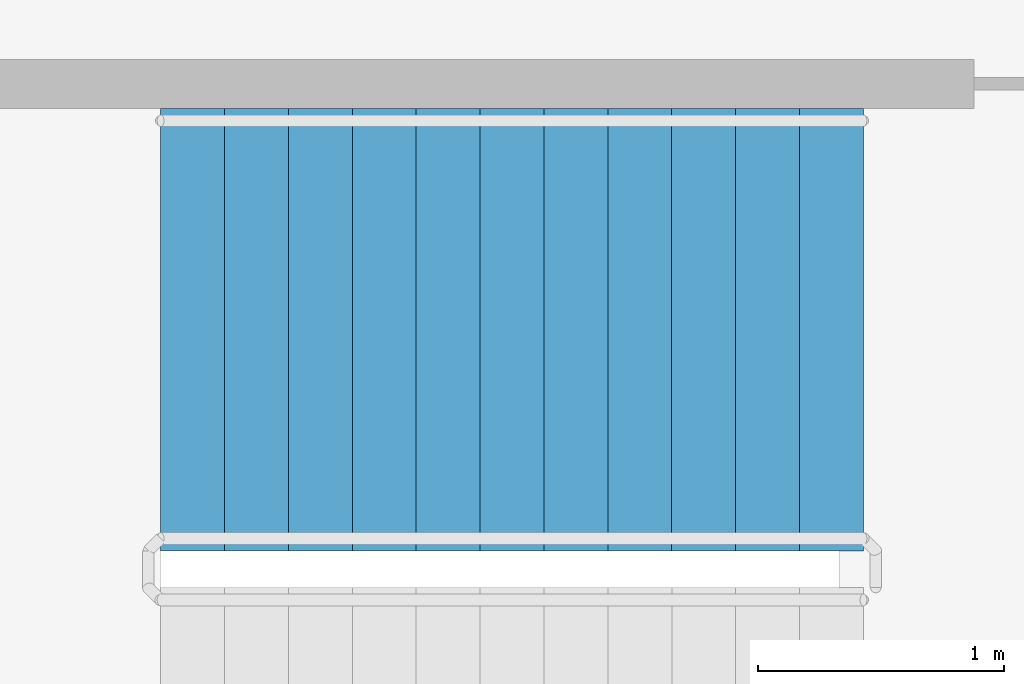
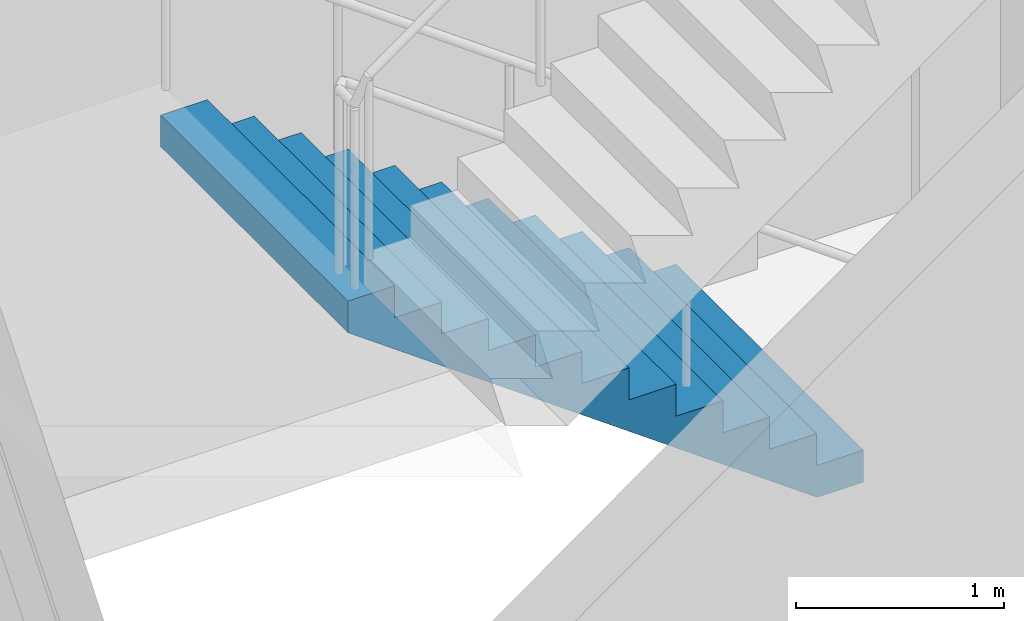
# One storey, part 32 of 49: 1 stair flight, 1 element without a shape of its own.
"""IFC4 building model written with IfcOpenShell, lengths in metres."""

from ifc_helpers import new_model, si_unit, direction, frame, origin, place, context, subcontext, project, spatial, faceted_brep, material, type_object, element, aggregate, save


model = new_model("IFC4")

# Units and contexts
model_context = context("Model", 3, precision=1e-05, world=origin(), true_north=direction((0.0, 1.0)))
body_context = subcontext(model_context, "Body", "Model", "MODEL_VIEW")
ifc_project = project(units=[si_unit("LENGTHUNIT", "METRE"), si_unit("AREAUNIT", "SQUARE_METRE"), si_unit("VOLUMEUNIT", "CUBIC_METRE"), si_unit("PLANEANGLEUNIT", "RADIAN"), si_unit("MASSUNIT", "GRAM", prefix="KILO")], contexts=[model_context])

# Site, building, storey
site_placement = place(None, origin())
site = spatial("IfcSite", under=ifc_project, at=site_placement, CompositionType="ELEMENT")
building_placement = place(site_placement, origin())
building = spatial("IfcBuilding", under=site, at=building_placement, Name="Ipe Terrace Towers", CompositionType="ELEMENT")
storey_placement = place(building_placement, frame((0.0, 0.0, 20.0)))
storey = spatial("IfcBuildingStorey", under=building, at=storey_placement, Name="L04", CompositionType="ELEMENT", Elevation=20.0)

# Stair, stair flight
ifc_material_1 = material(Name="Concrete C30/37", Category="concrete")
stair_type = type_object("IfcStairType", Name="Protected exit stair", PredefinedType="HALF_TURN_STAIR", material=ifc_material_1)
stair_placement = place(storey_placement, origin())
stair = element("IfcStair", 1, at=stair_placement, inside=storey, type_object=stair_type, Name="L04 Podium exit stair PS1", PredefinedType="HALF_TURN_STAIR")
ifc_material_2 = material(Name="Concrete C30/37", Category="concrete")
stair_flight_type = type_object("IfcStairFlightType", Name="Exit stair flight 1800", PredefinedType="STRAIGHT", material=ifc_material_2)
stair_flight_placement = place(storey_placement, frame((-54.27001953125, 25.5, 0.0), z_axis=(0.0, 0.0, 1.0), x_axis=(-1.0, 0.0, 0.0)))
stair_flight = element("IfcStairFlight", 2, at=stair_flight_placement, type_object=stair_flight_type, Name="PS1 flight 1", NumberOfRisers=12, NumberOfTreads=11, PredefinedType="STRAIGHT", RiserHeight=0.1875, TreadLength=0.26, context=body_context, shape_type="Brep", body=[
    faceted_brep([(0.25634765625, -0.89990234375, 0.0), (2.860107421875, -0.89990234375, 1.877685546875), (2.860107421875, -0.89990234375, 2.0625), (2.60009765625, -0.89990234375, 2.0625), (2.60009765625, -0.89990234375, 1.875), (2.340087890625, -0.89990234375, 1.875), (2.340087890625, -0.89990234375, 1.6875), (2.080078125, -0.89990234375, 1.6875), (2.080078125, -0.89990234375, 1.5), (1.820068359375, -0.89990234375, 1.5), (1.820068359375, -0.89990234375, 1.3125), (1.56005859375, -0.89990234375, 1.3125), (1.56005859375, -0.89990234375, 1.125), (1.300048828125, -0.89990234375, 1.125), (1.300048828125, -0.89990234375, 0.9375), (1.0400390625, -0.89990234375, 0.9375), (1.0400390625, -0.89990234375, 0.75), (0.780029296875, -0.89990234375, 0.75), (0.780029296875, -0.89990234375, 0.5625), (0.52001953125, -0.89990234375, 0.5625), (0.52001953125, -0.89990234375, 0.375), (0.260009765625, -0.89990234375, 0.375), (0.260009765625, -0.89990234375, 0.1875), (0.0, -0.89990234375, 0.1875), (0.0, -0.89990234375, 0.0), (0.0, 0.89990234375, 0.0), (0.0, 0.89990234375, 0.1875), (0.260009765625, 0.89990234375, 0.1875), (0.260009765625, 0.89990234375, 0.375), (0.52001953125, 0.89990234375, 0.375), (0.52001953125, 0.89990234375, 0.5625), (0.780029296875, 0.89990234375, 0.5625), (0.780029296875, 0.89990234375, 0.75), (1.0400390625, 0.89990234375, 0.75), (1.0400390625, 0.89990234375, 0.9375), (1.300048828125, 0.89990234375, 0.9375), (1.300048828125, 0.89990234375, 1.125), (1.56005859375, 0.89990234375, 1.125), (1.56005859375, 0.89990234375, 1.3125), (1.820068359375, 0.89990234375, 1.3125), (1.820068359375, 0.89990234375, 1.5), (2.080078125, 0.89990234375, 1.5), (2.080078125, 0.89990234375, 1.6875), (2.340087890625, 0.89990234375, 1.6875), (2.340087890625, 0.89990234375, 1.875), (2.60009765625, 0.89990234375, 1.875), (2.60009765625, 0.89990234375, 2.0625), (2.860107421875, 0.89990234375, 2.0625), (2.860107421875, 0.89990234375, 1.877685546875), (0.25634765625, 0.89990234375, 0.0), (0.0, -0.300048828125, 0.1875), (0.0, -0.1201171875, 0.1875), (0.0, -0.06005859375, 0.1875), (0.0, -0.030029296875, 0.1875), (0.0, -0.010009765625, 0.1875), (0.0, 0.0, 0.1875), (0.0, 0.010009765625, 0.1875), (0.0, 0.030029296875, 0.1875), (0.0, 0.06005859375, 0.1875), (0.0, 0.1201171875, 0.1875), (0.0, 0.300048828125, 0.1875), (0.0, 0.300048828125, 0.0), (0.0, 0.1201171875, 0.0), (0.0, 0.06005859375, 0.0), (0.0, 0.030029296875, 0.0), (0.0, 0.010009765625, 0.0), (0.0, 0.0, 0.0), (0.0, -0.010009765625, 0.0), (0.0, -0.030029296875, 0.0), (0.0, -0.06005859375, 0.0), (0.0, -0.1201171875, 0.0), (0.0, -0.300048828125, 0.0), (0.260009765625, -0.300048828125, 0.1875), (0.260009765625, -0.1201171875, 0.1875), (0.260009765625, -0.06005859375, 0.1875), (0.260009765625, -0.030029296875, 0.1875), (0.260009765625, -0.010009765625, 0.1875), (0.260009765625, 0.0, 0.1875), (0.260009765625, 0.010009765625, 0.1875), (0.260009765625, 0.030029296875, 0.1875), (0.260009765625, 0.06005859375, 0.1875), (0.260009765625, 0.1201171875, 0.1875), (0.260009765625, 0.300048828125, 0.1875), (0.260009765625, -0.300048828125, 0.375), (0.260009765625, -0.1201171875, 0.375), (0.260009765625, -0.06005859375, 0.375), (0.260009765625, -0.030029296875, 0.375), (0.260009765625, -0.010009765625, 0.375), (0.260009765625, 0.0, 0.375), (0.260009765625, 0.010009765625, 0.375), (0.260009765625, 0.030029296875, 0.375), (0.260009765625, 0.06005859375, 0.375), (0.260009765625, 0.1201171875, 0.375), (0.260009765625, 0.300048828125, 0.375), (0.52001953125, -0.300048828125, 0.375), (0.52001953125, -0.1201171875, 0.375), (0.52001953125, -0.06005859375, 0.375), (0.52001953125, -0.030029296875, 0.375), (0.52001953125, -0.010009765625, 0.375), (0.52001953125, 0.0, 0.375), (0.52001953125, 0.010009765625, 0.375), (0.52001953125, 0.030029296875, 0.375), (0.52001953125, 0.06005859375, 0.375), (0.52001953125, 0.1201171875, 0.375), (0.52001953125, 0.300048828125, 0.375), (0.52001953125, -0.300048828125, 0.5625), (0.52001953125, -0.1201171875, 0.5625), (0.52001953125, -0.06005859375, 0.5625), (0.52001953125, -0.030029296875, 0.5625), (0.52001953125, -0.010009765625, 0.5625), (0.52001953125, 0.0, 0.5625), (0.52001953125, 0.010009765625, 0.5625), (0.52001953125, 0.030029296875, 0.5625), (0.52001953125, 0.06005859375, 0.5625), (0.52001953125, 0.1201171875, 0.5625), (0.52001953125, 0.300048828125, 0.5625), (0.780029296875, -0.300048828125, 0.5625), (0.780029296875, -0.1201171875, 0.5625), (0.780029296875, -0.06005859375, 0.5625), (0.780029296875, -0.030029296875, 0.5625), (0.780029296875, -0.010009765625, 0.5625), (0.780029296875, 0.0, 0.5625), (0.780029296875, 0.010009765625, 0.5625), (0.780029296875, 0.030029296875, 0.5625), (0.780029296875, 0.06005859375, 0.5625), (0.780029296875, 0.1201171875, 0.5625), (0.780029296875, 0.300048828125, 0.5625), (0.780029296875, -0.300048828125, 0.75), (0.780029296875, -0.1201171875, 0.75), (0.780029296875, -0.06005859375, 0.75), (0.780029296875, -0.030029296875, 0.75), (0.780029296875, -0.010009765625, 0.75), (0.780029296875, 0.0, 0.75), (0.780029296875, 0.010009765625, 0.75), (0.780029296875, 0.030029296875, 0.75), (0.780029296875, 0.06005859375, 0.75), (0.780029296875, 0.1201171875, 0.75), (0.780029296875, 0.300048828125, 0.75), (1.0400390625, -0.300048828125, 0.75), (1.0400390625, -0.1201171875, 0.75), (1.0400390625, -0.06005859375, 0.75), (1.0400390625, -0.030029296875, 0.75), (1.0400390625, -0.010009765625, 0.75), (1.0400390625, 0.0, 0.75), (1.0400390625, 0.010009765625, 0.75), (1.0400390625, 0.030029296875, 0.75), (1.0400390625, 0.06005859375, 0.75), (1.0400390625, 0.1201171875, 0.75), (1.0400390625, 0.300048828125, 0.75), (1.0400390625, -0.300048828125, 0.9375), (1.0400390625, -0.1201171875, 0.9375), (1.0400390625, -0.06005859375, 0.9375), (1.0400390625, -0.030029296875, 0.9375), (1.0400390625, -0.010009765625, 0.9375), (1.0400390625, 0.0, 0.9375), (1.0400390625, 0.010009765625, 0.9375), (1.0400390625, 0.030029296875, 0.9375), (1.0400390625, 0.06005859375, 0.9375), (1.0400390625, 0.1201171875, 0.9375), (1.0400390625, 0.300048828125, 0.9375), (1.300048828125, -0.300048828125, 0.9375), (1.300048828125, -0.1201171875, 0.9375), (1.300048828125, -0.06005859375, 0.9375), (1.300048828125, -0.030029296875, 0.9375), (1.300048828125, -0.010009765625, 0.9375), (1.300048828125, 0.0, 0.9375), (1.300048828125, 0.010009765625, 0.9375), (1.300048828125, 0.030029296875, 0.9375), (1.300048828125, 0.06005859375, 0.9375), (1.300048828125, 0.1201171875, 0.9375), (1.300048828125, 0.300048828125, 0.9375), (1.300048828125, -0.300048828125, 1.125), (1.300048828125, -0.1201171875, 1.125), (1.300048828125, -0.06005859375, 1.125), (1.300048828125, -0.030029296875, 1.125), (1.300048828125, -0.010009765625, 1.125), (1.300048828125, 0.0, 1.125), (1.300048828125, 0.010009765625, 1.125), (1.300048828125, 0.030029296875, 1.125), (1.300048828125, 0.06005859375, 1.125), (1.300048828125, 0.1201171875, 1.125), (1.300048828125, 0.300048828125, 1.125), (1.56005859375, -0.300048828125, 1.125), (1.56005859375, -0.1201171875, 1.125), (1.56005859375, -0.06005859375, 1.125), (1.56005859375, -0.030029296875, 1.125), (1.56005859375, -0.010009765625, 1.125), (1.56005859375, 0.0, 1.125), (1.56005859375, 0.010009765625, 1.125), (1.56005859375, 0.030029296875, 1.125), (1.56005859375, 0.06005859375, 1.125), (1.56005859375, 0.1201171875, 1.125), (1.56005859375, 0.300048828125, 1.125), (1.56005859375, -0.300048828125, 1.3125), (1.56005859375, -0.1201171875, 1.3125), (1.56005859375, -0.06005859375, 1.3125), (1.56005859375, -0.030029296875, 1.3125), (1.56005859375, -0.010009765625, 1.3125), (1.56005859375, 0.0, 1.3125), (1.56005859375, 0.010009765625, 1.3125), (1.56005859375, 0.030029296875, 1.3125), (1.56005859375, 0.06005859375, 1.3125), (1.56005859375, 0.1201171875, 1.3125), (1.56005859375, 0.300048828125, 1.3125), (1.820068359375, -0.300048828125, 1.3125), (1.820068359375, -0.1201171875, 1.3125), (1.820068359375, -0.06005859375, 1.3125), (1.820068359375, -0.030029296875, 1.3125), (1.820068359375, -0.010009765625, 1.3125), (1.820068359375, 0.0, 1.3125), (1.820068359375, 0.010009765625, 1.3125), (1.820068359375, 0.030029296875, 1.3125), (1.820068359375, 0.06005859375, 1.3125), (1.820068359375, 0.1201171875, 1.3125), (1.820068359375, 0.300048828125, 1.3125), (1.820068359375, -0.300048828125, 1.5), (1.820068359375, -0.1201171875, 1.5), (1.820068359375, -0.06005859375, 1.5), (1.820068359375, -0.030029296875, 1.5), (1.820068359375, -0.010009765625, 1.5), (1.820068359375, 0.0, 1.5), (1.820068359375, 0.010009765625, 1.5), (1.820068359375, 0.030029296875, 1.5), (1.820068359375, 0.06005859375, 1.5), (1.820068359375, 0.1201171875, 1.5), (1.820068359375, 0.300048828125, 1.5), (2.080078125, -0.300048828125, 1.5), (2.080078125, -0.1201171875, 1.5), (2.080078125, -0.06005859375, 1.5), (2.080078125, -0.030029296875, 1.5), (2.080078125, -0.010009765625, 1.5), (2.080078125, 0.0, 1.5), (2.080078125, 0.010009765625, 1.5), (2.080078125, 0.030029296875, 1.5), (2.080078125, 0.06005859375, 1.5), (2.080078125, 0.1201171875, 1.5), (2.080078125, 0.300048828125, 1.5), (2.080078125, -0.300048828125, 1.6875), (2.080078125, -0.1201171875, 1.6875), (2.080078125, -0.06005859375, 1.6875), (2.080078125, -0.030029296875, 1.6875), (2.080078125, -0.010009765625, 1.6875), (2.080078125, 0.0, 1.6875), (2.080078125, 0.010009765625, 1.6875), (2.080078125, 0.030029296875, 1.6875), (2.080078125, 0.06005859375, 1.6875), (2.080078125, 0.1201171875, 1.6875), (2.080078125, 0.300048828125, 1.6875), (2.340087890625, -0.300048828125, 1.6875), (2.340087890625, -0.1201171875, 1.6875), (2.340087890625, -0.06005859375, 1.6875), (2.340087890625, -0.030029296875, 1.6875), (2.340087890625, -0.010009765625, 1.6875), (2.340087890625, 0.0, 1.6875), (2.340087890625, 0.010009765625, 1.6875), (2.340087890625, 0.030029296875, 1.6875), (2.340087890625, 0.06005859375, 1.6875), (2.340087890625, 0.1201171875, 1.6875), (2.340087890625, 0.300048828125, 1.6875), (2.340087890625, -0.300048828125, 1.875), (2.340087890625, -0.1201171875, 1.875), (2.340087890625, -0.06005859375, 1.875), (2.340087890625, -0.030029296875, 1.875), (2.340087890625, -0.010009765625, 1.875), (2.340087890625, 0.0, 1.875), (2.340087890625, 0.010009765625, 1.875), (2.340087890625, 0.030029296875, 1.875), (2.340087890625, 0.06005859375, 1.875), (2.340087890625, 0.1201171875, 1.875), (2.340087890625, 0.300048828125, 1.875), (2.60009765625, -0.300048828125, 1.875), (2.60009765625, -0.1201171875, 1.875), (2.60009765625, -0.06005859375, 1.875), (2.60009765625, -0.030029296875, 1.875), (2.60009765625, -0.010009765625, 1.875), (2.60009765625, 0.0, 1.875), (2.60009765625, 0.010009765625, 1.875), (2.60009765625, 0.030029296875, 1.875), (2.60009765625, 0.06005859375, 1.875), (2.60009765625, 0.1201171875, 1.875), (2.60009765625, 0.300048828125, 1.875), (2.60009765625, -0.300048828125, 2.0625), (2.60009765625, -0.1201171875, 2.0625), (2.60009765625, -0.06005859375, 2.0625), (2.60009765625, -0.030029296875, 2.0625), (2.60009765625, -0.010009765625, 2.0625), (2.60009765625, 0.0, 2.0625), (2.60009765625, 0.010009765625, 2.0625), (2.60009765625, 0.030029296875, 2.0625), (2.60009765625, 0.06005859375, 2.0625), (2.60009765625, 0.1201171875, 2.0625), (2.60009765625, 0.300048828125, 2.0625), (2.860107421875, -0.300048828125, 2.0625), (2.860107421875, -0.1201171875, 2.0625), (2.860107421875, -0.06005859375, 2.0625), (2.860107421875, -0.030029296875, 2.0625), (2.860107421875, -0.010009765625, 2.0625), (2.860107421875, 0.0, 2.0625), (2.860107421875, 0.010009765625, 2.0625), (2.860107421875, 0.030029296875, 2.0625), (2.860107421875, 0.06005859375, 2.0625), (2.860107421875, 0.1201171875, 2.0625), (2.860107421875, 0.300048828125, 2.0625), (2.860107421875, -0.300048828125, 1.877685546875), (2.860107421875, -0.1201171875, 1.877685546875), (2.860107421875, -0.06005859375, 1.877685546875), (2.860107421875, -0.030029296875, 1.877685546875), (2.860107421875, -0.010009765625, 1.877685546875), (2.860107421875, 0.0, 1.877685546875), (2.860107421875, 0.010009765625, 1.877685546875), (2.860107421875, 0.030029296875, 1.877685546875), (2.860107421875, 0.06005859375, 1.877685546875), (2.860107421875, 0.1201171875, 1.877685546875), (2.860107421875, 0.300048828125, 1.877685546875), (0.25634765625, -0.300048828125, 0.0), (0.25634765625, -0.1201171875, 0.0), (0.25634765625, -0.06005859375, 0.0), (0.25634765625, -0.030029296875, 0.0), (0.25634765625, -0.010009765625, 0.0), (0.25634765625, 0.0, 0.0), (0.25634765625, 0.010009765625, 0.0), (0.25634765625, 0.030029296875, 0.0), (0.25634765625, 0.06005859375, 0.0), (0.25634765625, 0.1201171875, 0.0), (0.25634765625, 0.300048828125, 0.0)], [[[0, 1, 2, 3, 4, 5, 6, 7, 8, 9, 10, 11, 12, 13, 14, 15, 16, 17, 18, 19, 20, 21, 22, 23, 24]], [[25, 26, 27, 28, 29, 30, 31, 32, 33, 34, 35, 36, 37, 38, 39, 40, 41, 42, 43, 44, 45, 46, 47, 48, 49]], [[23, 50, 51, 52, 53, 54, 55, 56, 57, 58, 59, 60, 26, 25, 61, 62, 63, 64, 65, 66, 67, 68, 69, 70, 71, 24]], [[22, 72, 73, 74, 75, 76, 77, 78, 79, 80, 81, 82, 27, 26, 60, 59, 58, 57, 56, 55, 54, 53, 52, 51, 50, 23]], [[21, 83, 84, 85, 86, 87, 88, 89, 90, 91, 92, 93, 28, 27, 82, 81, 80, 79, 78, 77, 76, 75, 74, 73, 72, 22]], [[20, 94, 95, 96, 97, 98, 99, 100, 101, 102, 103, 104, 29, 28, 93, 92, 91, 90, 89, 88, 87, 86, 85, 84, 83, 21]], [[19, 105, 106, 107, 108, 109, 110, 111, 112, 113, 114, 115, 30, 29, 104, 103, 102, 101, 100, 99, 98, 97, 96, 95, 94, 20]], [[18, 116, 117, 118, 119, 120, 121, 122, 123, 124, 125, 126, 31, 30, 115, 114, 113, 112, 111, 110, 109, 108, 107, 106, 105, 19]], [[17, 127, 128, 129, 130, 131, 132, 133, 134, 135, 136, 137, 32, 31, 126, 125, 124, 123, 122, 121, 120, 119, 118, 117, 116, 18]], [[16, 138, 139, 140, 141, 142, 143, 144, 145, 146, 147, 148, 33, 32, 137, 136, 135, 134, 133, 132, 131, 130, 129, 128, 127, 17]], [[15, 149, 150, 151, 152, 153, 154, 155, 156, 157, 158, 159, 34, 33, 148, 147, 146, 145, 144, 143, 142, 141, 140, 139, 138, 16]], [[14, 160, 161, 162, 163, 164, 165, 166, 167, 168, 169, 170, 35, 34, 159, 158, 157, 156, 155, 154, 153, 152, 151, 150, 149, 15]], [[13, 171, 172, 173, 174, 175, 176, 177, 178, 179, 180, 181, 36, 35, 170, 169, 168, 167, 166, 165, 164, 163, 162, 161, 160, 14]], [[12, 182, 183, 184, 185, 186, 187, 188, 189, 190, 191, 192, 37, 36, 181, 180, 179, 178, 177, 176, 175, 174, 173, 172, 171, 13]], [[11, 193, 194, 195, 196, 197, 198, 199, 200, 201, 202, 203, 38, 37, 192, 191, 190, 189, 188, 187, 186, 185, 184, 183, 182, 12]], [[10, 204, 205, 206, 207, 208, 209, 210, 211, 212, 213, 214, 39, 38, 203, 202, 201, 200, 199, 198, 197, 196, 195, 194, 193, 11]], [[9, 215, 216, 217, 218, 219, 220, 221, 222, 223, 224, 225, 40, 39, 214, 213, 212, 211, 210, 209, 208, 207, 206, 205, 204, 10]], [[8, 226, 227, 228, 229, 230, 231, 232, 233, 234, 235, 236, 41, 40, 225, 224, 223, 222, 221, 220, 219, 218, 217, 216, 215, 9]], [[7, 237, 238, 239, 240, 241, 242, 243, 244, 245, 246, 247, 42, 41, 236, 235, 234, 233, 232, 231, 230, 229, 228, 227, 226, 8]], [[6, 248, 249, 250, 251, 252, 253, 254, 255, 256, 257, 258, 43, 42, 247, 246, 245, 244, 243, 242, 241, 240, 239, 238, 237, 7]], [[5, 259, 260, 261, 262, 263, 264, 265, 266, 267, 268, 269, 44, 43, 258, 257, 256, 255, 254, 253, 252, 251, 250, 249, 248, 6]], [[4, 270, 271, 272, 273, 274, 275, 276, 277, 278, 279, 280, 45, 44, 269, 268, 267, 266, 265, 264, 263, 262, 261, 260, 259, 5]], [[3, 281, 282, 283, 284, 285, 286, 287, 288, 289, 290, 291, 46, 45, 280, 279, 278, 277, 276, 275, 274, 273, 272, 271, 270, 4]], [[2, 292, 293, 294, 295, 296, 297, 298, 299, 300, 301, 302, 47, 46, 291, 290, 289, 288, 287, 286, 285, 284, 283, 282, 281, 3]], [[1, 303, 304, 305, 306, 307, 308, 309, 310, 311, 312, 313, 48, 47, 302, 301, 300, 299, 298, 297, 296, 295, 294, 293, 292, 2]], [[0, 314, 315, 316, 317, 318, 319, 320, 321, 322, 323, 324, 49, 48, 313, 312, 311, 310, 309, 308, 307, 306, 305, 304, 303, 1]], [[24, 71, 70, 69, 68, 67, 66, 65, 64, 63, 62, 61, 25, 49, 324, 323, 322, 321, 320, 319, 318, 317, 316, 315, 314, 0]]]),
])
aggregate(stair, [stair_flight])

save(model, "model.ifc")
